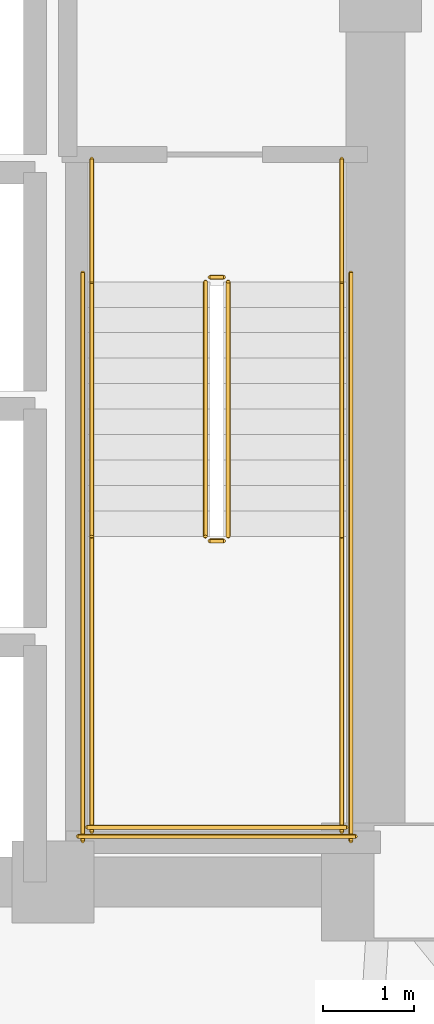
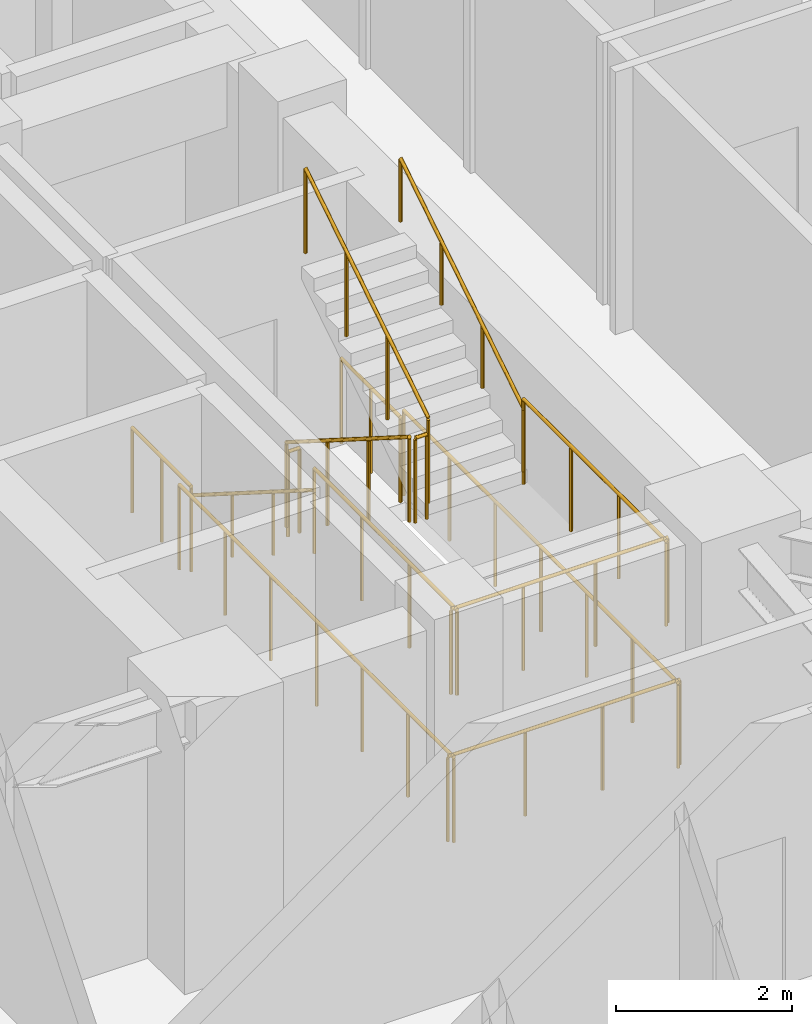
# One storey, part 13 of 13: 14 railings.
"""IFC4 building model written with IfcOpenShell, lengths in metres."""

import ifcopenshell
import ifcopenshell.guid

model = None  # the IFC model being written
_history = None  # IfcOwnerHistory: only IFC2X3 demands one
_inside = {}  # id of a spatial element -> (the spatial element, [elements in it])
_under = {}  # id of a project, library or spatial element -> (it, [spatial elements below it])
_declared = {}  # id of a project -> (the project, [libraries it declares])
_typed = {}  # id of a type object -> (the type object, [elements of that type])
_made_of = {}  # id of a material, layer set ... -> (it, [elements and type objects made of it])


def new_model(schema):
    """Start an empty IFC model of exactly this schema.

    Asked for "IFC4X3", IfcOpenShell would pick the latest addendum, in which some entities
    have other attributes; the version numbers below select the first issue.
    IFC2X3 requires an IfcOwnerHistory on every rooted entity: one is made here for all.
    """
    global model, _history
    if schema == "IFC4X3":
        model = ifcopenshell.file(schema_version=(4, 3, 0, 0))
    else:
        model = ifcopenshell.file(schema=schema)
    _inside.clear()
    _under.clear()
    _declared.clear()
    _typed.clear()
    _made_of.clear()
    _history = None
    if model.schema == "IFC2X3":
        org = make("IfcOrganization", Name="unknown")
        user = make(
            "IfcPersonAndOrganization",
            ThePerson=make("IfcPerson", FamilyName="unknown"),
            TheOrganization=org,
        )
        app = make(
            "IfcApplication",
            ApplicationDeveloper=org,
            Version="unknown",
            ApplicationFullName="unknown",
            ApplicationIdentifier="unknown",
        )
        _history = make(
            "IfcOwnerHistory",
            OwningUser=user,
            OwningApplication=app,
            ChangeAction="ADDED",
            CreationDate=0,
        )
    return model


def make(cls, **values):
    """One entity of the class cls with the attributes given. An attribute that is None is left unset."""
    return model.create_entity(
        cls, **{name: value for name, value in values.items() if value is not None}
    )


def rooted(cls, **values):
    """An entity with a GlobalId (a new one), such as an element, a storey or a relation."""
    return make(cls, GlobalId=ifcopenshell.guid.new(), OwnerHistory=_history, **values)


def si_unit(unit_type, name, prefix=None):
    """IfcSIUnit, for example si_unit("LENGTHUNIT", "METRE", prefix="MILLI")."""
    return make("IfcSIUnit", UnitType=unit_type, Prefix=prefix, Name=name)


def assignment(units):
    """IfcUnitAssignment: the units of a project."""
    return None if units is None else make("IfcUnitAssignment", Units=units)


def point(xyz):
    """IfcCartesianPoint."""
    return None if xyz is None else make("IfcCartesianPoint", Coordinates=xyz)


def direction(xyz):
    """IfcDirection."""
    return None if xyz is None else make("IfcDirection", DirectionRatios=xyz)


def frame(location, z_axis=None, x_axis=None):
    """IfcAxis2Placement3D, a coordinate frame: its origin and axes. An axis left out is left unset."""
    return make(
        "IfcAxis2Placement3D",
        Location=point(location),
        Axis=direction(z_axis),
        RefDirection=direction(x_axis),
    )


def frame_2d(location, x_axis=None):
    """IfcAxis2Placement2D, a coordinate frame in the plane: its origin and x axis."""
    return make(
        "IfcAxis2Placement2D", Location=point(location), RefDirection=direction(x_axis)
    )


def origin():
    """The frame at (0, 0, 0) with its axes left unset."""
    return frame((0.0, 0.0, 0.0))


def origin_2d():
    """The frame at (0, 0) in the plane with its x axis left unset."""
    return frame_2d((0.0, 0.0))


def place(relative_to, where):
    """IfcLocalPlacement: puts the frame where relative to a parent placement (None: the world)."""
    return make(
        "IfcLocalPlacement", PlacementRelTo=relative_to, RelativePlacement=where
    )


def context(
    kind, dimensions, precision=None, world=None, true_north=None, identifier=None
):
    """IfcGeometricRepresentationContext, for example the 3D "Model" context."""
    return make(
        "IfcGeometricRepresentationContext",
        ContextIdentifier=identifier,
        ContextType=kind,
        CoordinateSpaceDimension=dimensions,
        Precision=precision,
        WorldCoordinateSystem=world,
        TrueNorth=true_north,
    )


def subcontext(parent, identifier, kind, view, scale=None):
    """IfcGeometricRepresentationSubContext, for example "Body" below "Model"."""
    return make(
        "IfcGeometricRepresentationSubContext",
        ContextIdentifier=identifier,
        ContextType=kind,
        ParentContext=parent,
        TargetScale=scale,
        TargetView=view,
    )


def project(units=None, contexts=None):
    """IfcProject with its units and contexts."""
    return rooted(
        "IfcProject",
        Name="project",
        RepresentationContexts=contexts,
        UnitsInContext=assignment(units),
    )


def spatial(cls, under=None, at=None, **own):
    """A site, building, storey or space (cls), placed at a placement, below another one or the project."""
    s = rooted(cls, ObjectPlacement=at, **own)
    if under is not None:
        _under.setdefault(under.id(), (under, []))[1].append(s)
    return s


def profile(cls, at=None, kind="AREA", **sizes):
    """A parametric profile (cls). Its sizes go by their IFC names, for example OverallWidth=200.0."""
    return make(cls, ProfileType=kind, Position=at, **sizes)


def circle(**sizes):
    """IfcCircleProfileDef."""
    return profile("IfcCircleProfileDef", **sizes)


def extrude(swept, where, along, depth):
    """IfcExtrudedAreaSolid: the profile swept, set in the frame where, extruded along a direction by depth."""
    return make(
        "IfcExtrudedAreaSolid",
        SweptArea=swept,
        Position=where,
        ExtrudedDirection=direction(along),
        Depth=depth,
    )


def shape(context_of_items, identifier, shape_type, items):
    """IfcShapeRepresentation: the items that make up one representation, for example the "Body"."""
    return make(
        "IfcShapeRepresentation",
        ContextOfItems=context_of_items,
        RepresentationIdentifier=identifier,
        RepresentationType=shape_type,
        Items=items,
    )


def material(Name=None, Category=None):
    """IfcMaterial."""
    return make("IfcMaterial", Name=Name, Category=Category)


def made_of(thing, what):
    """Note that an element or type object is made of a material, layer set ...; save() writes the relation."""
    if what is not None:
        _made_of.setdefault(what.id(), (what, []))[1].append(thing)
    return thing


def type_object(cls, material=None, **own):
    """A type object (cls), such as IfcWallType, which elements share."""
    return made_of(rooted(cls, **own), material)


def element(
    cls,
    number,
    at=None,
    inside=None,
    cuts=None,
    type_object=None,
    material=None,
    context=None,
    identifier="Body",
    shape_type=None,
    held_by="IfcProductDefinitionShape",
    body=None,
    shapes=None,
    **own,
):
    """One element of the class cls, such as IfcWall. Its Tag is "e" and its number.

    at: its placement. inside: the storey or other place that contains it. cuts: it is an
    opening in that element (IfcRelVoidsElement). A single representation is given by context,
    identifier, shape_type and body (its items); several are given by shapes. held_by: the class
    of the entity that holds the representations. save() writes the other relations.
    """
    e = rooted(cls, Tag="e%d" % number, ObjectPlacement=at, **own)
    if body is not None:
        shapes = [shape(context, identifier, shape_type, body)]
    if shapes is not None:
        e.Representation = make(held_by, Representations=shapes)
    if inside is not None:
        _inside.setdefault(inside.id(), (inside, []))[1].append(e)
    if cuts is not None:
        rooted(
            "IfcRelVoidsElement", RelatingBuildingElement=cuts, RelatedOpeningElement=e
        )
    if type_object is not None:
        _typed.setdefault(type_object.id(), (type_object, []))[1].append(e)
    return made_of(e, material)


def aggregate(whole, parts):
    """IfcRelAggregates: a whole, such as a stair, and the parts it consists of."""
    return rooted("IfcRelAggregates", RelatingObject=whole, RelatedObjects=parts)


def save(model, path):
    """Write the relations noted so far, then the file.

    IfcRelAggregates (storeys below a building ...), IfcRelContainedInSpatialStructure (elements
    in a storey), IfcRelDefinesByType, IfcRelAssociatesMaterial and IfcRelDeclares: one each for
    every whole, place, type object, material and project.
    """
    for whole, parts in _under.values():
        aggregate(whole, parts)
    for where, things in _inside.values():
        rooted(
            "IfcRelContainedInSpatialStructure",
            RelatedElements=things,
            RelatingStructure=where,
        )
    for kind, things in _typed.values():
        rooted("IfcRelDefinesByType", RelatedObjects=things, RelatingType=kind)
    for what, things in _made_of.values():
        rooted("IfcRelAssociatesMaterial", RelatedObjects=things, RelatingMaterial=what)
    for by, libraries in _declared.values():
        rooted("IfcRelDeclares", RelatingContext=by, RelatedDefinitions=libraries)
    model.write(path)


model = new_model("IFC4")

# Units and contexts
model_context = context("Model", 3, precision=1e-05, world=origin(), true_north=direction((0.0, 1.0)))
body_context = subcontext(model_context, "Body", "Model", "MODEL_VIEW")
ifc_project = project(units=[si_unit("LENGTHUNIT", "METRE"), si_unit("AREAUNIT", "SQUARE_METRE"), si_unit("VOLUMEUNIT", "CUBIC_METRE"), si_unit("PLANEANGLEUNIT", "RADIAN"), si_unit("MASSUNIT", "GRAM", prefix="KILO")], contexts=[model_context])

# Site, building, storey
site_placement = place(None, origin())
site = spatial("IfcSite", under=ifc_project, at=site_placement, CompositionType="ELEMENT")
building_placement = place(site_placement, origin())
building = spatial("IfcBuilding", under=site, at=building_placement, Name="Voryun Gate Residences", CompositionType="ELEMENT")
storey_placement = place(building_placement, frame((0.0, 0.0, 120.89990234375)))
storey = spatial("IfcBuildingStorey", under=building, at=storey_placement, Name="L29", CompositionType="ELEMENT", Elevation=120.89990234375)

# Railings
ifc_material_1 = material(Name="Painted steel", Category="steel")
railing_type_1 = type_object("IfcRailingType", Name="RAIL_STAIR_GUARD_1200", PredefinedType="GUARDRAIL", material=ifc_material_1)
railing_1_placement = place(storey_placement, frame((17.27490234375, -0.800048828125, 0.177490234375)))
element("IfcRailing", 1, at=railing_1_placement, inside=storey, type_object=railing_type_1, Name="L29 ST-E1 stair guard 1", PredefinedType="GUARDRAIL", context=body_context, shape_type="SweptSolid", body=[
    extrude(circle(Radius=0.02392578125, at=origin_2d()), frame((0.0, 0.0, 1.17578125), z_axis=(0.0, -0.844908973607, 0.534910110503), x_axis=(1.0, 0.0, 0.0)), (0.0, 0.0, 1.0), 3.31396484375),
    extrude(circle(Radius=0.02099609375, at=origin_2d()), origin(), (0.0, 0.0, 1.0), 1.15185546875),
    extrude(circle(Radius=0.02099609375, at=origin_2d()), frame((0.0, -0.933349609375, 0.5908203125)), (0.0, 0.0, 1.0), 1.15185546875),
    extrude(circle(Radius=0.02099609375, at=origin_2d()), frame((0.0, -1.86669921875, 1.181884765625)), (0.0, 0.0, 1.0), 1.15185546875),
    extrude(circle(Radius=0.02099609375, at=origin_2d()), frame((0.0, -2.800048828125, 1.772705078125)), (0.0, 0.0, 1.0), 1.15185546875),
])
railing_2_placement = place(storey_placement, frame((17.324951171875, -3.64990234375, 1.9501953125)))
element("IfcRailing", 2, at=railing_2_placement, inside=storey, type_object=railing_type_1, Name="L29 ST-E1 stair guard 2", PredefinedType="GUARDRAIL", context=body_context, shape_type="SweptSolid", body=[
    extrude(circle(Radius=0.02392578125, at=origin_2d()), frame((0.0, 0.0, 1.17578125), z_axis=(1.0, 0.0, 0.0), x_axis=(0.0, 1.0, 0.0)), (0.0, 0.0, 1.0), 0.150146484375),
    extrude(circle(Radius=0.02099609375, at=origin_2d()), origin(), (0.0, 0.0, 1.0), 1.15185546875),
    extrude(circle(Radius=0.02099609375, at=origin_2d()), frame((0.150146484375, 0.0, 0.0)), (0.0, 0.0, 1.0), 1.15185546875),
])
for number, where, name in (
    (3, (16.02490234375, -3.60009765625, 1.9501953125), "L29 ST-E1 stair guard 3"),
    (4, (18.77490234375, -3.60009765625, 1.9501953125), "L29 ST-E1 stair guard 4"),
):
    element("IfcRailing", number, at=place(storey_placement, frame(where)), inside=storey, type_object=railing_type_1, Name=name, PredefinedType="GUARDRAIL", context=body_context, shape_type="SweptSolid", body=[
        extrude(circle(Radius=0.02392578125, at=origin_2d()), frame((0.0, 0.0, 1.17578125), z_axis=(0.0, -1.0, 0.0), x_axis=(1.0, 0.0, 0.0)), (0.0, 0.0, 1.0), 3.25),
        extrude(circle(Radius=0.02099609375, at=origin_2d()), origin(), (0.0, 0.0, 1.0), 1.15185546875),
        extrude(circle(Radius=0.02099609375, at=origin_2d()), frame((0.0, -1.083251953125, 0.0)), (0.0, 0.0, 1.0), 1.15185546875),
        extrude(circle(Radius=0.02099609375, at=origin_2d()), frame((0.0, -2.166748046875, 0.0)), (0.0, 0.0, 1.0), 1.15185546875),
        extrude(circle(Radius=0.02099609375, at=origin_2d()), frame((0.0, -3.25, 0.0)), (0.0, 0.0, 1.0), 1.15185546875),
    ])
railing_3_placement = place(storey_placement, frame((15.97509765625, -6.800048828125, 1.9501953125)))
element("IfcRailing", 5, at=railing_3_placement, inside=storey, type_object=railing_type_1, Name="L29 ST-E1 stair guard 5", PredefinedType="GUARDRAIL", context=body_context, shape_type="SweptSolid", body=[
    extrude(circle(Radius=0.02392578125, at=origin_2d()), frame((0.0, 0.0, 1.17578125), z_axis=(1.0, 0.0, 0.0), x_axis=(0.0, 1.0, 0.0)), (0.0, 0.0, 1.0), 2.849853515625),
    extrude(circle(Radius=0.02099609375, at=origin_2d()), origin(), (0.0, 0.0, 1.0), 1.15185546875),
    extrude(circle(Radius=0.02099609375, at=origin_2d()), frame((0.949951171875, 0.0, 0.0)), (0.0, 0.0, 1.0), 1.15185546875),
    extrude(circle(Radius=0.02099609375, at=origin_2d()), frame((1.89990234375, 0.0, 0.0)), (0.0, 0.0, 1.0), 1.15185546875),
    extrude(circle(Radius=0.02099609375, at=origin_2d()), frame((2.849853515625, 0.0, 0.0)), (0.0, 0.0, 1.0), 1.15185546875),
])
railing_4_placement = place(storey_placement, frame((17.52490234375, -3.60009765625, 2.12744140625)))
element("IfcRailing", 6, at=railing_4_placement, inside=storey, type_object=railing_type_1, Name="L29 ST-E1 stair guard 6", PredefinedType="GUARDRAIL", context=body_context, shape_type="SweptSolid", body=[
    extrude(circle(Radius=0.02392578125, at=origin_2d()), frame((0.0, 0.0, 1.17578125), z_axis=(0.0, 0.844908973607, 0.534910110503), x_axis=(-1.0, 0.0, 0.0)), (0.0, 0.0, 1.0), 3.31396484375),
    extrude(circle(Radius=0.02099609375, at=origin_2d()), origin(), (0.0, 0.0, 1.0), 1.15185546875),
    extrude(circle(Radius=0.02099609375, at=origin_2d()), frame((0.0, 0.933349609375, 0.5908203125)), (0.0, 0.0, 1.0), 1.15185546875),
    extrude(circle(Radius=0.02099609375, at=origin_2d()), frame((0.0, 1.86669921875, 1.181884765625)), (0.0, 0.0, 1.0), 1.15185546875),
    extrude(circle(Radius=0.02099609375, at=origin_2d()), frame((0.0, 2.800048828125, 1.772705078125)), (0.0, 0.0, 1.0), 1.15185546875),
])
railing_5_placement = place(storey_placement, frame((17.324951171875, -0.75, 0.0)))
element("IfcRailing", 7, at=railing_5_placement, inside=storey, type_object=railing_type_1, Name="L29 ST-E1 stair guard 7", PredefinedType="GUARDRAIL", context=body_context, shape_type="SweptSolid", body=[
    extrude(circle(Radius=0.02392578125, at=origin_2d()), frame((0.0, 0.0, 1.17578125), z_axis=(1.0, 0.0, 0.0), x_axis=(0.0, 1.0, 0.0)), (0.0, 0.0, 1.0), 0.150146484375),
    extrude(circle(Radius=0.02099609375, at=origin_2d()), origin(), (0.0, 0.0, 1.0), 1.15185546875),
    extrude(circle(Radius=0.02099609375, at=origin_2d()), frame((0.150146484375, 0.0, 0.0)), (0.0, 0.0, 1.0), 1.15185546875),
])
for number, where, name in (
    (8, (16.02490234375, 0.550048828125, 0.0), "L29 ST-E1 stair guard 8"),
    (9, (18.77490234375, 0.550048828125, 0.0), "L29 ST-E1 stair guard 9"),
):
    element("IfcRailing", number, at=place(storey_placement, frame(where)), inside=storey, type_object=railing_type_1, Name=name, PredefinedType="GUARDRAIL", context=body_context, shape_type="SweptSolid", body=[
        extrude(circle(Radius=0.02392578125, at=origin_2d()), frame((0.0, 0.0, 1.17578125), z_axis=(0.0, -1.0, 0.0), x_axis=(1.0, 0.0, 0.0)), (0.0, 0.0, 1.0), 1.35009765625),
        extrude(circle(Radius=0.02099609375, at=origin_2d()), origin(), (0.0, 0.0, 1.0), 1.15185546875),
        extrude(circle(Radius=0.02099609375, at=origin_2d()), frame((0.0, -0.675048828125, 0.0)), (0.0, 0.0, 1.0), 1.15185546875),
        extrude(circle(Radius=0.02099609375, at=origin_2d()), frame((0.0, -1.35009765625, 0.0)), (0.0, 0.0, 1.0), 1.15185546875),
    ])
for number, where, name in (
    (10, (15.925048828125, -0.699951171875, 0.0), "L29 ST-E1 stair guard 10"),
    (11, (18.875, -0.699951171875, 0.0), "L29 ST-E1 stair guard 11"),
):
    element("IfcRailing", number, at=place(storey_placement, frame(where)), inside=storey, type_object=railing_type_1, Name=name, PredefinedType="GUARDRAIL", context=body_context, shape_type="SweptSolid", body=[
        extrude(circle(Radius=0.02392578125, at=origin_2d()), frame((0.0, 0.0, 1.17578125), z_axis=(0.0, -1.0, 0.0), x_axis=(1.0, 0.0, 0.0)), (0.0, 0.0, 1.0), 6.25),
        extrude(circle(Radius=0.02099609375, at=origin_2d()), origin(), (0.0, 0.0, 1.0), 1.15185546875),
        extrude(circle(Radius=0.02099609375, at=origin_2d()), frame((0.0, -1.041748046875, 0.0)), (0.0, 0.0, 1.0), 1.15185546875),
        extrude(circle(Radius=0.02099609375, at=origin_2d()), frame((0.0, -2.083251953125, 0.0)), (0.0, 0.0, 1.0), 1.15185546875),
        extrude(circle(Radius=0.02099609375, at=origin_2d()), frame((0.0, -3.125, 0.0)), (0.0, 0.0, 1.0), 1.15185546875),
        extrude(circle(Radius=0.02099609375, at=origin_2d()), frame((0.0, -4.166748046875, 0.0)), (0.0, 0.0, 1.0), 1.15185546875),
        extrude(circle(Radius=0.02099609375, at=origin_2d()), frame((0.0, -5.208251953125, 0.0)), (0.0, 0.0, 1.0), 1.15185546875),
        extrude(circle(Radius=0.02099609375, at=origin_2d()), frame((0.0, -6.25, 0.0)), (0.0, 0.0, 1.0), 1.15185546875),
    ])
railing_6_placement = place(storey_placement, frame((15.875, -6.89990234375, 0.0)))
element("IfcRailing", 12, at=railing_6_placement, inside=storey, type_object=railing_type_1, Name="L29 ST-E1 stair guard 12", PredefinedType="GUARDRAIL", context=body_context, shape_type="SweptSolid", body=[
    extrude(circle(Radius=0.02392578125, at=origin_2d()), frame((0.0, 0.0, 1.17578125), z_axis=(1.0, 0.0, 0.0), x_axis=(0.0, 1.0, 0.0)), (0.0, 0.0, 1.0), 3.050048828125),
    extrude(circle(Radius=0.02099609375, at=origin_2d()), origin(), (0.0, 0.0, 1.0), 1.15185546875),
    extrude(circle(Radius=0.02099609375, at=origin_2d()), frame((1.0166015625, 0.0, 0.0)), (0.0, 0.0, 1.0), 1.15185546875),
    extrude(circle(Radius=0.02099609375, at=origin_2d()), frame((2.033447265625, 0.0, 0.0)), (0.0, 0.0, 1.0), 1.15185546875),
    extrude(circle(Radius=0.02099609375, at=origin_2d()), frame((3.050048828125, 0.0, 0.0)), (0.0, 0.0, 1.0), 1.15185546875),
])
ifc_material_2 = material(Name="Painted steel", Category="steel")
railing_type_2 = type_object("IfcRailingType", Name="RAIL_STAIR_HANDRAIL_900", PredefinedType="HANDRAIL", material=ifc_material_2)
railing_7_placement = place(storey_placement, frame((16.02490234375, -0.800048828125, 0.177490234375)))
element("IfcRailing", 13, at=railing_7_placement, inside=storey, type_object=railing_type_2, Name="L29 ST-E1 stair handrail 1", PredefinedType="HANDRAIL", context=body_context, shape_type="SweptSolid", body=[
    extrude(circle(Radius=0.02392578125, at=origin_2d()), frame((0.0, 0.0, 0.8759765625), z_axis=(0.0, -0.844908973607, 0.534910110503), x_axis=(1.0, 0.0, 0.0)), (0.0, 0.0, 1.0), 3.31396484375),
    extrude(circle(Radius=0.02099609375, at=origin_2d()), origin(), (0.0, 0.0, 1.0), 0.851806640625),
    extrude(circle(Radius=0.02099609375, at=origin_2d()), frame((0.0, -0.933349609375, 0.5908203125)), (0.0, 0.0, 1.0), 0.851806640625),
    extrude(circle(Radius=0.02099609375, at=origin_2d()), frame((0.0, -1.86669921875, 1.181884765625)), (0.0, 0.0, 1.0), 0.851806640625),
    extrude(circle(Radius=0.02099609375, at=origin_2d()), frame((0.0, -2.800048828125, 1.772705078125)), (0.0, 0.0, 1.0), 0.851806640625),
])
railing_8_placement = place(storey_placement, frame((18.77490234375, -3.60009765625, 2.12744140625)))
element("IfcRailing", 14, at=railing_8_placement, inside=storey, type_object=railing_type_2, Name="L29 ST-E1 stair handrail 2", PredefinedType="HANDRAIL", context=body_context, shape_type="SweptSolid", body=[
    extrude(circle(Radius=0.02392578125, at=origin_2d()), frame((0.0, 0.0, 0.8759765625), z_axis=(0.0, 0.844908973607, 0.534910110503), x_axis=(-1.0, 0.0, 0.0)), (0.0, 0.0, 1.0), 3.31396484375),
    extrude(circle(Radius=0.02099609375, at=origin_2d()), origin(), (0.0, 0.0, 1.0), 0.851806640625),
    extrude(circle(Radius=0.02099609375, at=origin_2d()), frame((0.0, 0.933349609375, 0.5908203125)), (0.0, 0.0, 1.0), 0.851806640625),
    extrude(circle(Radius=0.02099609375, at=origin_2d()), frame((0.0, 1.86669921875, 1.181884765625)), (0.0, 0.0, 1.0), 0.851806640625),
    extrude(circle(Radius=0.02099609375, at=origin_2d()), frame((0.0, 2.800048828125, 1.772705078125)), (0.0, 0.0, 1.0), 0.851806640625),
])

save(model, "model.ifc")
